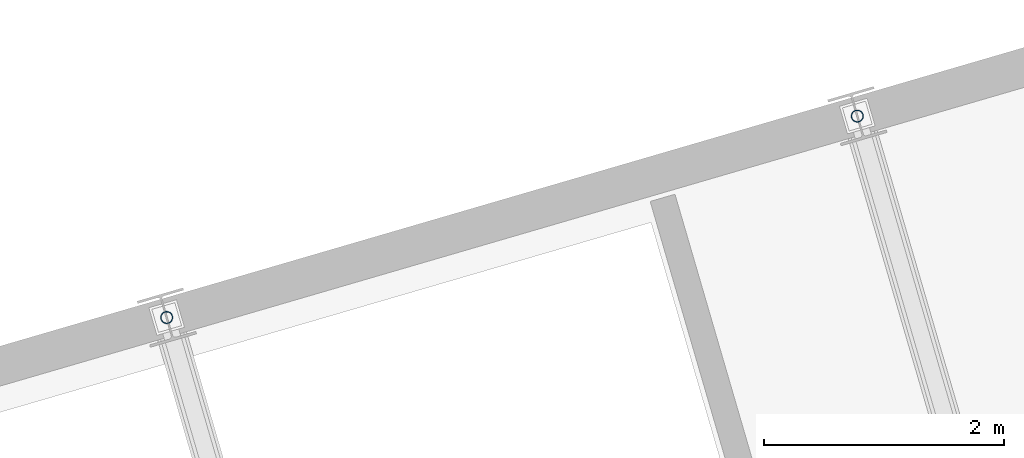
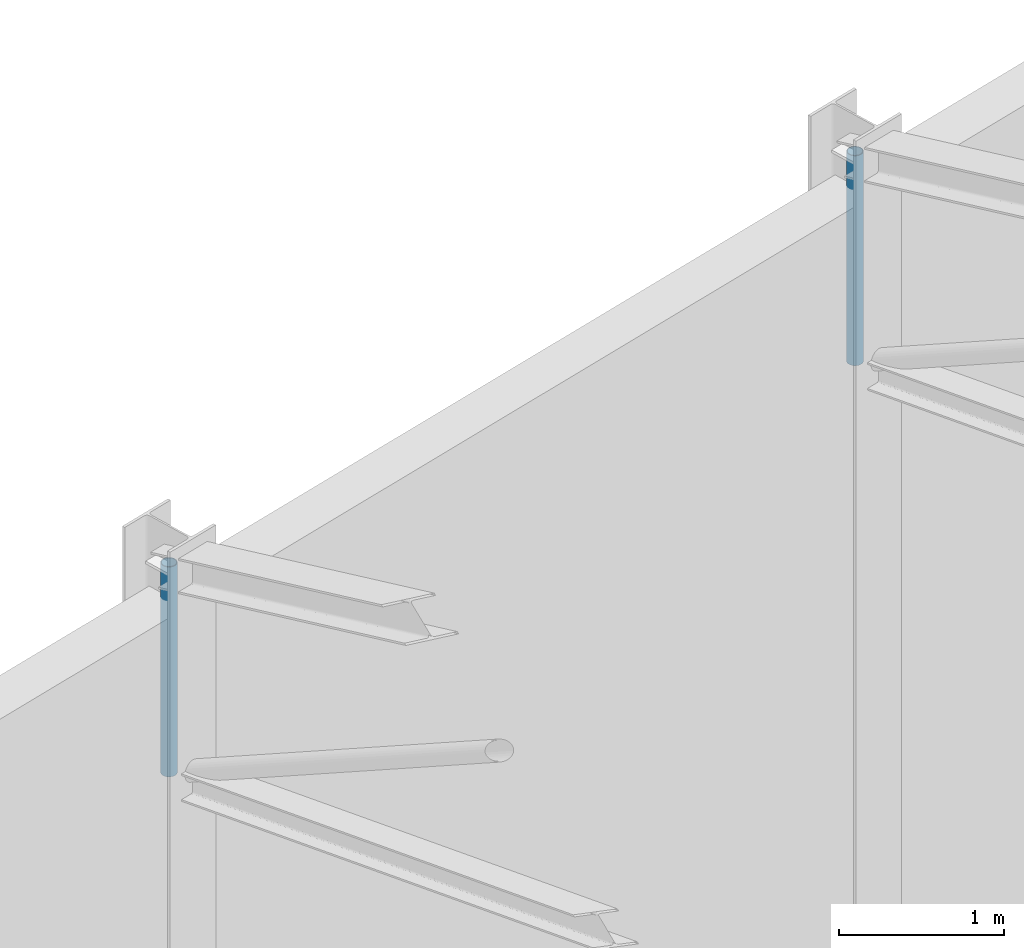
# One storey, part 148 of 248: 2 members.
"""IFC4 building model written with IfcOpenShell, lengths in metres."""

from ifc_helpers import new_model, si_unit, direction, frame, origin, origin_2d, place, context, subcontext, project, spatial, hollow_circle, extrude, material, material_profile, profile_set, type_object, element, save


model = new_model("IFC4")

# Units and contexts
model_context = context("Model", 3, precision=1e-05, world=origin(), true_north=direction((0.0, 1.0)))
body_context = subcontext(model_context, "Body", "Model", "MODEL_VIEW")
ifc_project = project(units=[si_unit("LENGTHUNIT", "METRE"), si_unit("AREAUNIT", "SQUARE_METRE"), si_unit("VOLUMEUNIT", "CUBIC_METRE"), si_unit("PLANEANGLEUNIT", "RADIAN"), si_unit("MASSUNIT", "GRAM", prefix="KILO")], contexts=[model_context])

# Site, building, storey
site_placement = place(None, origin())
site = spatial("IfcSite", under=ifc_project, at=site_placement, CompositionType="ELEMENT")
building_placement = place(site_placement, origin())
building = spatial("IfcBuilding", under=site, at=building_placement, Name="Canggui Botanical Conservatory", CompositionType="ELEMENT")
storey_placement = place(building_placement, frame((0.0, 0.0, 5.39990234375)))
storey = spatial("IfcBuildingStorey", under=building, at=storey_placement, Name="L02", CompositionType="ELEMENT", Elevation=5.39990234375)

# Members
ifc_material = material(Name="Steel Q355B", Category="steel")
ifc_material_profile = material_profile(ifc_material, hollow_circle(Radius=0.051025390625, WallThickness=0.0048828125, at=origin_2d()), Name="CHS 102x5")
ifc_profile_set = profile_set([ifc_material_profile], Name="Steel Q355B")
member_type = type_object("IfcMemberType", Name="MEM-TW04", PredefinedType="BRACE", material=ifc_profile_set)
for number, where, z_axis, x_axis, name in (
    (1, (65.0400390625, 114.719970703125, 8.400146484375), (0.0, 0.0, 1.0), (1.0, 0.0, 0.0), "Auditorium Truss AT-02 Vertical Post 5"),
    (2, (70.800048828125, 116.39990234375, 8.400146484375), (0.0, 0.0, 1.0), (1.0, 0.0, 0.0), "Auditorium Truss AT-03 Vertical Post 5"),
):
    element("IfcMember", number, at=place(storey_placement, frame(where, z_axis=z_axis, x_axis=x_axis)), inside=storey, type_object=member_type, Name=name, PredefinedType="BRACE", context=body_context, shape_type="SweptSolid", body=[
        extrude(hollow_circle(Radius=0.051025390625, WallThickness=0.0048828125, at=origin_2d()), origin(), (0.0, 0.0, 1.0), 1.550048828125),
    ])

save(model, "model.ifc")
